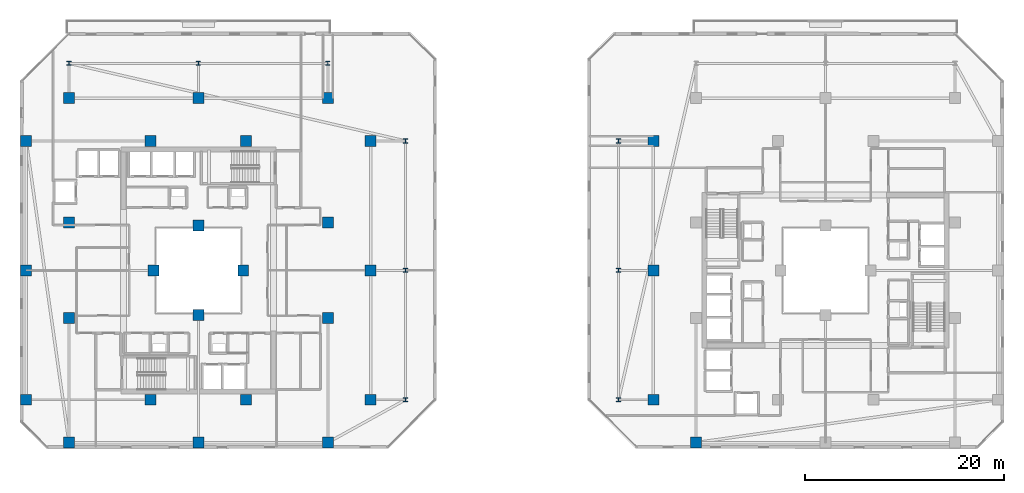
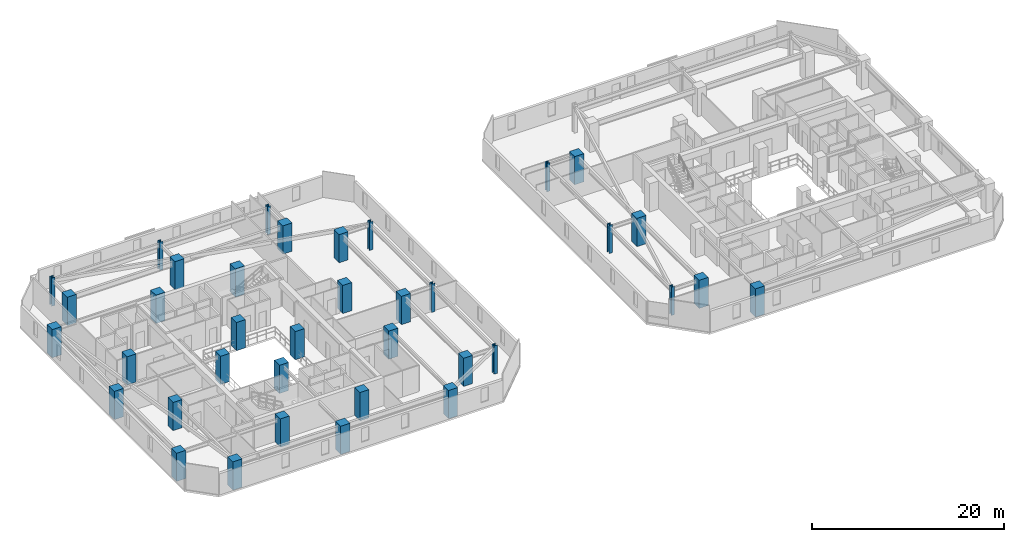
# One storey, part 1 of 33: 37 columns.
"""IFC4 building model written with IfcOpenShell, lengths in metres."""

import ifcopenshell
import ifcopenshell.guid

model = None  # the IFC model being written
_history = None  # IfcOwnerHistory: only IFC2X3 demands one
_inside = {}  # id of a spatial element -> (the spatial element, [elements in it])
_under = {}  # id of a project, library or spatial element -> (it, [spatial elements below it])
_declared = {}  # id of a project -> (the project, [libraries it declares])
_typed = {}  # id of a type object -> (the type object, [elements of that type])
_made_of = {}  # id of a material, layer set ... -> (it, [elements and type objects made of it])


def new_model(schema):
    """Start an empty IFC model of exactly this schema.

    Asked for "IFC4X3", IfcOpenShell would pick the latest addendum, in which some entities
    have other attributes; the version numbers below select the first issue.
    IFC2X3 requires an IfcOwnerHistory on every rooted entity: one is made here for all.
    """
    global model, _history
    if schema == "IFC4X3":
        model = ifcopenshell.file(schema_version=(4, 3, 0, 0))
    else:
        model = ifcopenshell.file(schema=schema)
    _inside.clear()
    _under.clear()
    _declared.clear()
    _typed.clear()
    _made_of.clear()
    _history = None
    if model.schema == "IFC2X3":
        org = make("IfcOrganization", Name="unknown")
        user = make(
            "IfcPersonAndOrganization",
            ThePerson=make("IfcPerson", FamilyName="unknown"),
            TheOrganization=org,
        )
        app = make(
            "IfcApplication",
            ApplicationDeveloper=org,
            Version="unknown",
            ApplicationFullName="unknown",
            ApplicationIdentifier="unknown",
        )
        _history = make(
            "IfcOwnerHistory",
            OwningUser=user,
            OwningApplication=app,
            ChangeAction="ADDED",
            CreationDate=0,
        )
    return model


def make(cls, **values):
    """One entity of the class cls with the attributes given. An attribute that is None is left unset."""
    return model.create_entity(
        cls, **{name: value for name, value in values.items() if value is not None}
    )


def rooted(cls, **values):
    """An entity with a GlobalId (a new one), such as an element, a storey or a relation."""
    return make(cls, GlobalId=ifcopenshell.guid.new(), OwnerHistory=_history, **values)


def si_unit(unit_type, name, prefix=None):
    """IfcSIUnit, for example si_unit("LENGTHUNIT", "METRE", prefix="MILLI")."""
    return make("IfcSIUnit", UnitType=unit_type, Prefix=prefix, Name=name)


def assignment(units):
    """IfcUnitAssignment: the units of a project."""
    return None if units is None else make("IfcUnitAssignment", Units=units)


def point(xyz):
    """IfcCartesianPoint."""
    return None if xyz is None else make("IfcCartesianPoint", Coordinates=xyz)


def direction(xyz):
    """IfcDirection."""
    return None if xyz is None else make("IfcDirection", DirectionRatios=xyz)


def frame(location, z_axis=None, x_axis=None):
    """IfcAxis2Placement3D, a coordinate frame: its origin and axes. An axis left out is left unset."""
    return make(
        "IfcAxis2Placement3D",
        Location=point(location),
        Axis=direction(z_axis),
        RefDirection=direction(x_axis),
    )


def frame_2d(location, x_axis=None):
    """IfcAxis2Placement2D, a coordinate frame in the plane: its origin and x axis."""
    return make(
        "IfcAxis2Placement2D", Location=point(location), RefDirection=direction(x_axis)
    )


def origin():
    """The frame at (0, 0, 0) with its axes left unset."""
    return frame((0.0, 0.0, 0.0))


def origin_2d():
    """The frame at (0, 0) in the plane with its x axis left unset."""
    return frame_2d((0.0, 0.0))


def place(relative_to, where):
    """IfcLocalPlacement: puts the frame where relative to a parent placement (None: the world)."""
    return make(
        "IfcLocalPlacement", PlacementRelTo=relative_to, RelativePlacement=where
    )


def context(
    kind, dimensions, precision=None, world=None, true_north=None, identifier=None
):
    """IfcGeometricRepresentationContext, for example the 3D "Model" context."""
    return make(
        "IfcGeometricRepresentationContext",
        ContextIdentifier=identifier,
        ContextType=kind,
        CoordinateSpaceDimension=dimensions,
        Precision=precision,
        WorldCoordinateSystem=world,
        TrueNorth=true_north,
    )


def subcontext(parent, identifier, kind, view, scale=None):
    """IfcGeometricRepresentationSubContext, for example "Body" below "Model"."""
    return make(
        "IfcGeometricRepresentationSubContext",
        ContextIdentifier=identifier,
        ContextType=kind,
        ParentContext=parent,
        TargetScale=scale,
        TargetView=view,
    )


def project(units=None, contexts=None):
    """IfcProject with its units and contexts."""
    return rooted(
        "IfcProject",
        Name="project",
        RepresentationContexts=contexts,
        UnitsInContext=assignment(units),
    )


def spatial(cls, under=None, at=None, **own):
    """A site, building, storey or space (cls), placed at a placement, below another one or the project."""
    s = rooted(cls, ObjectPlacement=at, **own)
    if under is not None:
        _under.setdefault(under.id(), (under, []))[1].append(s)
    return s


def profile(cls, at=None, kind="AREA", **sizes):
    """A parametric profile (cls). Its sizes go by their IFC names, for example OverallWidth=200.0."""
    return make(cls, ProfileType=kind, Position=at, **sizes)


def rectangle(**sizes):
    """IfcRectangleProfileDef."""
    return profile("IfcRectangleProfileDef", **sizes)


def i_section(**sizes):
    """IfcIShapeProfileDef."""
    return profile("IfcIShapeProfileDef", **sizes)


def extrude(swept, where, along, depth):
    """IfcExtrudedAreaSolid: the profile swept, set in the frame where, extruded along a direction by depth."""
    return make(
        "IfcExtrudedAreaSolid",
        SweptArea=swept,
        Position=where,
        ExtrudedDirection=direction(along),
        Depth=depth,
    )


def shape(context_of_items, identifier, shape_type, items):
    """IfcShapeRepresentation: the items that make up one representation, for example the "Body"."""
    return make(
        "IfcShapeRepresentation",
        ContextOfItems=context_of_items,
        RepresentationIdentifier=identifier,
        RepresentationType=shape_type,
        Items=items,
    )


def material(Name=None, Category=None):
    """IfcMaterial."""
    return make("IfcMaterial", Name=Name, Category=Category)


def material_profile(
    of_material, cross_section, Name=None, Category=None, Priority=None
):
    """IfcMaterialProfile: a cross section and its material."""
    return make(
        "IfcMaterialProfile",
        Name=Name,
        Material=of_material,
        Profile=cross_section,
        Priority=Priority,
        Category=Category,
    )


def profile_set(profiles, Name=None, composite=None):
    """IfcMaterialProfileSet."""
    return make(
        "IfcMaterialProfileSet",
        Name=Name,
        MaterialProfiles=profiles,
        CompositeProfile=composite,
    )


def made_of(thing, what):
    """Note that an element or type object is made of a material, layer set ...; save() writes the relation."""
    if what is not None:
        _made_of.setdefault(what.id(), (what, []))[1].append(thing)
    return thing


def type_object(cls, material=None, **own):
    """A type object (cls), such as IfcWallType, which elements share."""
    return made_of(rooted(cls, **own), material)


def element(
    cls,
    number,
    at=None,
    inside=None,
    cuts=None,
    type_object=None,
    material=None,
    context=None,
    identifier="Body",
    shape_type=None,
    held_by="IfcProductDefinitionShape",
    body=None,
    shapes=None,
    **own,
):
    """One element of the class cls, such as IfcWall. Its Tag is "e" and its number.

    at: its placement. inside: the storey or other place that contains it. cuts: it is an
    opening in that element (IfcRelVoidsElement). A single representation is given by context,
    identifier, shape_type and body (its items); several are given by shapes. held_by: the class
    of the entity that holds the representations. save() writes the other relations.
    """
    e = rooted(cls, Tag="e%d" % number, ObjectPlacement=at, **own)
    if body is not None:
        shapes = [shape(context, identifier, shape_type, body)]
    if shapes is not None:
        e.Representation = make(held_by, Representations=shapes)
    if inside is not None:
        _inside.setdefault(inside.id(), (inside, []))[1].append(e)
    if cuts is not None:
        rooted(
            "IfcRelVoidsElement", RelatingBuildingElement=cuts, RelatedOpeningElement=e
        )
    if type_object is not None:
        _typed.setdefault(type_object.id(), (type_object, []))[1].append(e)
    return made_of(e, material)


def aggregate(whole, parts):
    """IfcRelAggregates: a whole, such as a stair, and the parts it consists of."""
    return rooted("IfcRelAggregates", RelatingObject=whole, RelatedObjects=parts)


def save(model, path):
    """Write the relations noted so far, then the file.

    IfcRelAggregates (storeys below a building ...), IfcRelContainedInSpatialStructure (elements
    in a storey), IfcRelDefinesByType, IfcRelAssociatesMaterial and IfcRelDeclares: one each for
    every whole, place, type object, material and project.
    """
    for whole, parts in _under.values():
        aggregate(whole, parts)
    for where, things in _inside.values():
        rooted(
            "IfcRelContainedInSpatialStructure",
            RelatedElements=things,
            RelatingStructure=where,
        )
    for kind, things in _typed.values():
        rooted("IfcRelDefinesByType", RelatedObjects=things, RelatingType=kind)
    for what, things in _made_of.values():
        rooted("IfcRelAssociatesMaterial", RelatedObjects=things, RelatingMaterial=what)
    for by, libraries in _declared.values():
        rooted("IfcRelDeclares", RelatingContext=by, RelatedDefinitions=libraries)
    model.write(path)


model = new_model("IFC4")

# Units and contexts
model_context = context("Model", 3, precision=1e-05, world=origin(), true_north=direction((0.0, 1.0)))
body_context = subcontext(model_context, "Body", "Model", "MODEL_VIEW")
ifc_project = project(units=[si_unit("LENGTHUNIT", "METRE"), si_unit("AREAUNIT", "SQUARE_METRE"), si_unit("VOLUMEUNIT", "CUBIC_METRE"), si_unit("PLANEANGLEUNIT", "RADIAN"), si_unit("MASSUNIT", "GRAM", prefix="KILO")], contexts=[model_context])

# Site, building, storey
site_placement = place(None, origin())
site = spatial("IfcSite", under=ifc_project, at=site_placement, CompositionType="ELEMENT")
building_placement = place(site_placement, origin())
building = spatial("IfcBuilding", under=site, at=building_placement, Name="Thornwick Lancets Civic Towers", CompositionType="ELEMENT")
storey_placement = place(building_placement, frame((0.0, 0.0, 192.89990234375)))
storey = spatial("IfcBuildingStorey", under=building, at=storey_placement, Name="L51", CompositionType="ELEMENT", Elevation=192.89990234375)

# Columns
ifc_material_1 = material(Name="Concrete C50/60", Category="concrete")
ifc_material_profile_1 = material_profile(ifc_material_1, rectangle(XDim=1.10009765625, YDim=1.10009765625, at=origin_2d()), Name="RC 1100x1100")
ifc_profile_set_1 = profile_set([ifc_material_profile_1], Name="Concrete C50/60")
column_type_1 = type_object("IfcColumnType", Name="COL_RC_1100", PredefinedType="COLUMN", material=ifc_profile_set_1)
for number, where, z_axis, x_axis, name in (
    (1, (12.5, 9.699951171875, 0.0), (0.0, 0.0, 1.0), (1.0, 0.0, 0.0), "L51 Spine Mega-Column A01"),
    (2, (25.5, 9.699951171875, 0.0), (0.0, 0.0, 1.0), (1.0, 0.0, 0.0), "L51 Spine Mega-Column A02"),
    (3, (38.5, 9.699951171875, 0.0), (0.0, 0.0, 1.0), (1.0, 0.0, 0.0), "L51 Spine Mega-Column A03"),
    (4, (42.800048828125, 14.0, 0.0), (0.0, 0.0, 1.0), (1.0, 0.0, 0.0), "L51 Spine Mega-Column A04"),
    (5, (42.800048828125, 27.0, 0.0), (0.0, 0.0, 1.0), (1.0, 0.0, 0.0), "L51 Spine Mega-Column A05"),
    (6, (42.800048828125, 40.0, 0.0), (0.0, 0.0, 1.0), (1.0, 0.0, 0.0), "L51 Spine Mega-Column A06"),
    (7, (12.5, 44.300048828125, 0.0), (0.0, 0.0, 1.0), (1.0, 0.0, 0.0), "L51 Spine Mega-Column A07"),
    (8, (25.5, 44.300048828125, 0.0), (0.0, 0.0, 1.0), (1.0, 0.0, 0.0), "L51 Spine Mega-Column A08"),
    (9, (38.5, 44.300048828125, 0.0), (0.0, 0.0, 1.0), (1.0, 0.0, 0.0), "L51 Spine Mega-Column A09"),
    (10, (8.199951171875, 14.0, 0.0), (0.0, 0.0, 1.0), (1.0, 0.0, 0.0), "L51 Spine Mega-Column A10"),
    (11, (8.199951171875, 27.0, 0.0), (0.0, 0.0, 1.0), (1.0, 0.0, 0.0), "L51 Spine Mega-Column A11"),
    (12, (8.199951171875, 40.0, 0.0), (0.0, 0.0, 1.0), (1.0, 0.0, 0.0), "L51 Spine Mega-Column A12"),
    (13, (12.5, 22.199951171875, 0.0), (0.0, 0.0, 1.0), (1.0, 0.0, 0.0), "L51 Spine Mega-Column A13"),
    (14, (38.5, 22.199951171875, 0.0), (0.0, 0.0, 1.0), (1.0, 0.0, 0.0), "L51 Spine Mega-Column A14"),
    (15, (12.5, 31.800048828125, 0.0), (0.0, 0.0, 1.0), (1.0, 0.0, 0.0), "L51 Spine Mega-Column A15"),
    (16, (38.5, 31.800048828125, 0.0), (0.0, 0.0, 1.0), (1.0, 0.0, 0.0), "L51 Spine Mega-Column A16"),
    (17, (20.699951171875, 14.0, 0.0), (0.0, 0.0, 1.0), (1.0, 0.0, 0.0), "L51 Spine Mega-Column A17"),
    (18, (30.300048828125, 14.0, 0.0), (0.0, 0.0, 1.0), (1.0, 0.0, 0.0), "L51 Spine Mega-Column A18"),
    (19, (20.699951171875, 40.0, 0.0), (0.0, 0.0, 1.0), (1.0, 0.0, 0.0), "L51 Spine Mega-Column A19"),
    (20, (30.300048828125, 40.0, 0.0), (0.0, 0.0, 1.0), (1.0, 0.0, 0.0), "L51 Spine Mega-Column A20"),
    (21, (25.5, 22.5, 0.0), (0.0, 0.0, 1.0), (1.0, 0.0, 0.0), "L51 Spine Mega-Column A21"),
    (22, (25.5, 31.5, 0.0), (0.0, 0.0, 1.0), (1.0, 0.0, 0.0), "L51 Spine Mega-Column A22"),
    (23, (21.0, 27.0, 0.0), (0.0, 0.0, 1.0), (1.0, 0.0, 0.0), "L51 Spine Mega-Column A23"),
    (24, (30.0, 27.0, 0.0), (0.0, 0.0, 1.0), (1.0, 0.0, 0.0), "L51 Spine Mega-Column A24"),
    (25, (71.199951171875, 14.0, 0.0), (0.0, 0.0, 1.0), (1.0, 0.0, 0.0), "L51 Spine Mega-Column B07"),
    (26, (71.199951171875, 27.0, 0.0), (0.0, 0.0, 1.0), (1.0, 0.0, 0.0), "L51 Spine Mega-Column B08"),
    (27, (71.199951171875, 40.0, 0.0), (0.0, 0.0, 1.0), (1.0, 0.0, 0.0), "L51 Spine Mega-Column B09"),
    (28, (75.5, 9.699951171875, 0.0), (0.0, 0.0, 1.0), (1.0, 0.0, 0.0), "L51 Spine Mega-Column B12"),
):
    element("IfcColumn", number, at=place(storey_placement, frame(where, z_axis=z_axis, x_axis=x_axis)), inside=storey, type_object=column_type_1, Name=name, PredefinedType="COLUMN", context=body_context, shape_type="SweptSolid", body=[
        extrude(rectangle(XDim=1.10009765625, YDim=1.10009765625, at=origin_2d()), origin(), (0.0, 0.0, 1.0), 3.60009765625),
    ])
ifc_material_2 = material(Name="Steel S460M", Category="steel")
ifc_material_profile_2 = material_profile(ifc_material_2, i_section(OverallWidth=0.406982421875, OverallDepth=0.4189453125, WebThickness=0.030517578125, FlangeThickness=0.04931640625, FilletRadius=0.01513671875, at=origin_2d()), Name="UKC 356x406x393")
ifc_profile_set_2 = profile_set([ifc_material_profile_2], Name="Steel S460M")
column_type_2 = type_object("IfcColumnType", Name="COL_UKC_393", PredefinedType="COLUMN", material=ifc_profile_set_2)
for number, where, z_axis, x_axis, name in (
    (29, (46.300048828125, 14.0, 0.0), (0.0, 0.0, 1.0), (1.0, 0.0, 0.0), "L51 Block Perimeter Column A04"),
    (30, (46.300048828125, 27.0, 0.0), (0.0, 0.0, 1.0), (1.0, 0.0, 0.0), "L51 Block Perimeter Column A05"),
    (31, (46.300048828125, 40.0, 0.0), (0.0, 0.0, 1.0), (1.0, 0.0, 0.0), "L51 Block Perimeter Column A06"),
    (32, (12.5, 47.800048828125, 0.0), (0.0, 0.0, 1.0), (1.0, 0.0, 0.0), "L51 Block Perimeter Column A07"),
    (33, (25.5, 47.800048828125, 0.0), (0.0, 0.0, 1.0), (1.0, 0.0, 0.0), "L51 Block Perimeter Column A08"),
    (34, (38.5, 47.800048828125, 0.0), (0.0, 0.0, 1.0), (1.0, 0.0, 0.0), "L51 Block Perimeter Column A09"),
    (35, (67.699951171875, 14.0, 0.0), (0.0, 0.0, 1.0), (1.0, 0.0, 0.0), "L51 Block Perimeter Column B07"),
    (36, (67.699951171875, 27.0, 0.0), (0.0, 0.0, 1.0), (1.0, 0.0, 0.0), "L51 Block Perimeter Column B08"),
    (37, (67.699951171875, 40.0, 0.0), (0.0, 0.0, 1.0), (1.0, 0.0, 0.0), "L51 Block Perimeter Column B09"),
):
    element("IfcColumn", number, at=place(storey_placement, frame(where, z_axis=z_axis, x_axis=x_axis)), inside=storey, type_object=column_type_2, Name=name, PredefinedType="COLUMN", context=body_context, shape_type="SweptSolid", body=[
        extrude(i_section(OverallWidth=0.406982421875, OverallDepth=0.4189453125, WebThickness=0.030517578125, FlangeThickness=0.04931640625, FilletRadius=0.01513671875, at=origin_2d()), origin(), (0.0, 0.0, 1.0), 3.60009765625),
    ])

save(model, "model.ifc")
